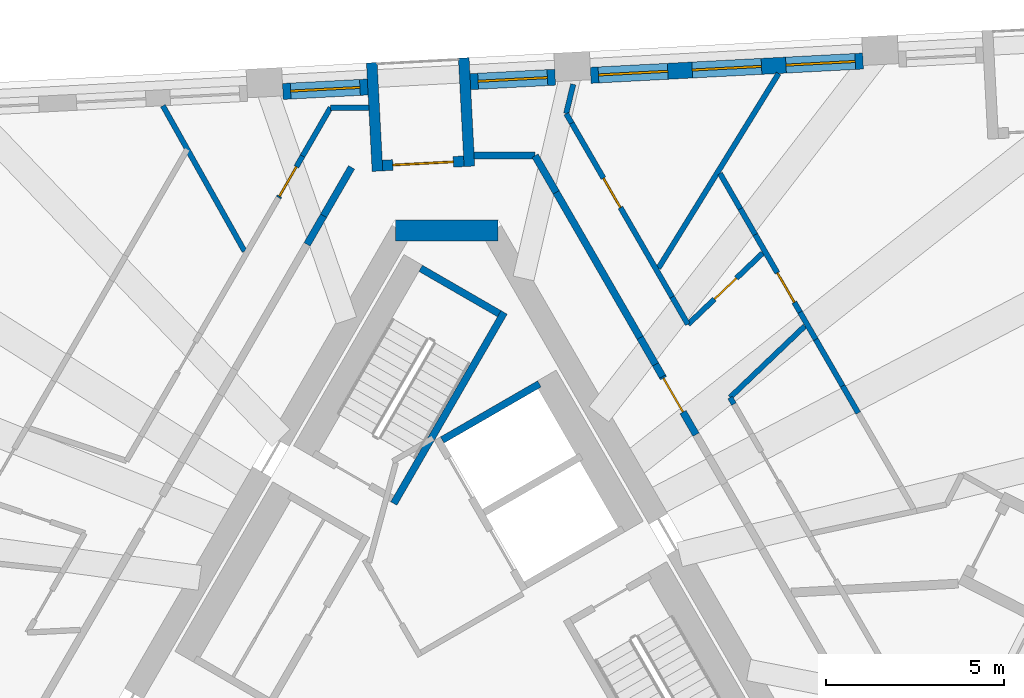
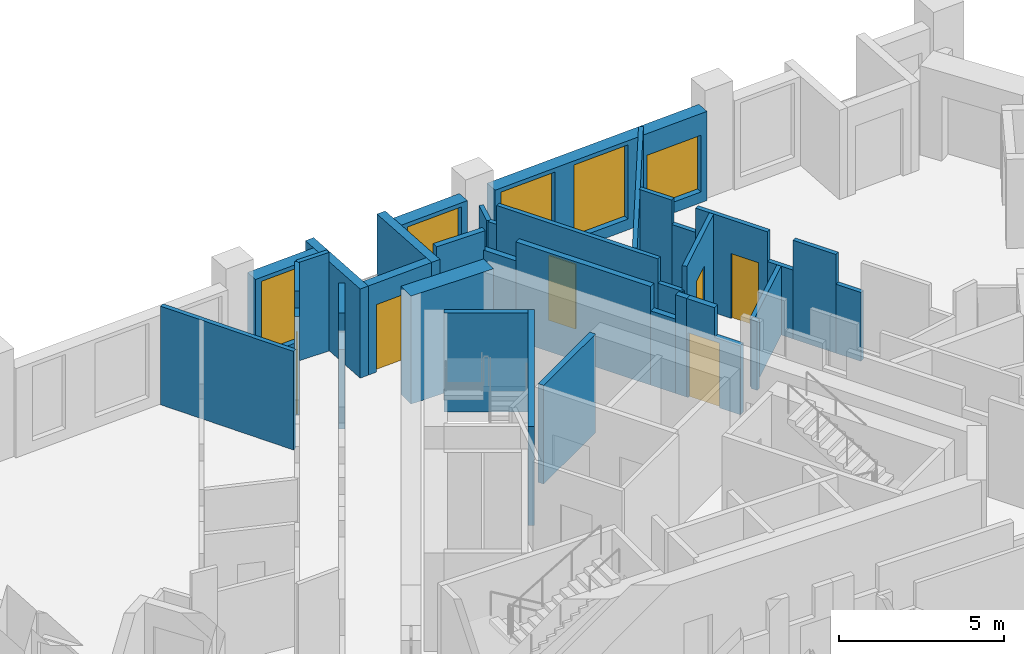
# One storey, part 7 of 12: 36 walls, 6 doors, 5 windows, 11 openings.
"""IFC4 building model written with IfcOpenShell, lengths in metres."""

import ifcopenshell
import ifcopenshell.guid

model = None  # the IFC model being written
_history = None  # IfcOwnerHistory: only IFC2X3 demands one
_inside = {}  # id of a spatial element -> (the spatial element, [elements in it])
_under = {}  # id of a project, library or spatial element -> (it, [spatial elements below it])
_declared = {}  # id of a project -> (the project, [libraries it declares])
_typed = {}  # id of a type object -> (the type object, [elements of that type])
_made_of = {}  # id of a material, layer set ... -> (it, [elements and type objects made of it])


def new_model(schema):
    """Start an empty IFC model of exactly this schema.

    Asked for "IFC4X3", IfcOpenShell would pick the latest addendum, in which some entities
    have other attributes; the version numbers below select the first issue.
    IFC2X3 requires an IfcOwnerHistory on every rooted entity: one is made here for all.
    """
    global model, _history
    if schema == "IFC4X3":
        model = ifcopenshell.file(schema_version=(4, 3, 0, 0))
    else:
        model = ifcopenshell.file(schema=schema)
    _inside.clear()
    _under.clear()
    _declared.clear()
    _typed.clear()
    _made_of.clear()
    _history = None
    if model.schema == "IFC2X3":
        org = make("IfcOrganization", Name="unknown")
        user = make(
            "IfcPersonAndOrganization",
            ThePerson=make("IfcPerson", FamilyName="unknown"),
            TheOrganization=org,
        )
        app = make(
            "IfcApplication",
            ApplicationDeveloper=org,
            Version="unknown",
            ApplicationFullName="unknown",
            ApplicationIdentifier="unknown",
        )
        _history = make(
            "IfcOwnerHistory",
            OwningUser=user,
            OwningApplication=app,
            ChangeAction="ADDED",
            CreationDate=0,
        )
    return model


def make(cls, **values):
    """One entity of the class cls with the attributes given. An attribute that is None is left unset."""
    return model.create_entity(
        cls, **{name: value for name, value in values.items() if value is not None}
    )


def rooted(cls, **values):
    """An entity with a GlobalId (a new one), such as an element, a storey or a relation."""
    return make(cls, GlobalId=ifcopenshell.guid.new(), OwnerHistory=_history, **values)


def si_unit(unit_type, name, prefix=None):
    """IfcSIUnit, for example si_unit("LENGTHUNIT", "METRE", prefix="MILLI")."""
    return make("IfcSIUnit", UnitType=unit_type, Prefix=prefix, Name=name)


def assignment(units):
    """IfcUnitAssignment: the units of a project."""
    return None if units is None else make("IfcUnitAssignment", Units=units)


def point(xyz):
    """IfcCartesianPoint."""
    return None if xyz is None else make("IfcCartesianPoint", Coordinates=xyz)


def direction(xyz):
    """IfcDirection."""
    return None if xyz is None else make("IfcDirection", DirectionRatios=xyz)


def frame(location, z_axis=None, x_axis=None):
    """IfcAxis2Placement3D, a coordinate frame: its origin and axes. An axis left out is left unset."""
    return make(
        "IfcAxis2Placement3D",
        Location=point(location),
        Axis=direction(z_axis),
        RefDirection=direction(x_axis),
    )


def frame_2d(location, x_axis=None):
    """IfcAxis2Placement2D, a coordinate frame in the plane: its origin and x axis."""
    return make(
        "IfcAxis2Placement2D", Location=point(location), RefDirection=direction(x_axis)
    )


def origin():
    """The frame at (0, 0, 0) with its axes left unset."""
    return frame((0.0, 0.0, 0.0))


def place(relative_to, where):
    """IfcLocalPlacement: puts the frame where relative to a parent placement (None: the world)."""
    return make(
        "IfcLocalPlacement", PlacementRelTo=relative_to, RelativePlacement=where
    )


def context(
    kind, dimensions, precision=None, world=None, true_north=None, identifier=None
):
    """IfcGeometricRepresentationContext, for example the 3D "Model" context."""
    return make(
        "IfcGeometricRepresentationContext",
        ContextIdentifier=identifier,
        ContextType=kind,
        CoordinateSpaceDimension=dimensions,
        Precision=precision,
        WorldCoordinateSystem=world,
        TrueNorth=true_north,
    )


def subcontext(parent, identifier, kind, view, scale=None):
    """IfcGeometricRepresentationSubContext, for example "Body" below "Model"."""
    return make(
        "IfcGeometricRepresentationSubContext",
        ContextIdentifier=identifier,
        ContextType=kind,
        ParentContext=parent,
        TargetScale=scale,
        TargetView=view,
    )


def project(units=None, contexts=None):
    """IfcProject with its units and contexts."""
    return rooted(
        "IfcProject",
        Name="project",
        RepresentationContexts=contexts,
        UnitsInContext=assignment(units),
    )


def spatial(cls, under=None, at=None, **own):
    """A site, building, storey or space (cls), placed at a placement, below another one or the project."""
    s = rooted(cls, ObjectPlacement=at, **own)
    if under is not None:
        _under.setdefault(under.id(), (under, []))[1].append(s)
    return s


def polyline(points):
    """IfcPolyline through the points."""
    return make("IfcPolyline", Points=[point(p) for p in points])


def profile(cls, at=None, kind="AREA", **sizes):
    """A parametric profile (cls). Its sizes go by their IFC names, for example OverallWidth=200.0."""
    return make(cls, ProfileType=kind, Position=at, **sizes)


def rectangle(**sizes):
    """IfcRectangleProfileDef."""
    return profile("IfcRectangleProfileDef", **sizes)


def outline(outer, holes=None, kind="AREA"):
    """IfcArbitraryClosedProfileDef: a profile drawn as a closed curve; with holes, ...WithVoids."""
    if holes is None:
        return make("IfcArbitraryClosedProfileDef", ProfileType=kind, OuterCurve=outer)
    return make(
        "IfcArbitraryProfileDefWithVoids",
        ProfileType=kind,
        OuterCurve=outer,
        InnerCurves=holes,
    )


def extrude(swept, where, along, depth):
    """IfcExtrudedAreaSolid: the profile swept, set in the frame where, extruded along a direction by depth."""
    return make(
        "IfcExtrudedAreaSolid",
        SweptArea=swept,
        Position=where,
        ExtrudedDirection=direction(along),
        Depth=depth,
    )


def shape(context_of_items, identifier, shape_type, items):
    """IfcShapeRepresentation: the items that make up one representation, for example the "Body"."""
    return make(
        "IfcShapeRepresentation",
        ContextOfItems=context_of_items,
        RepresentationIdentifier=identifier,
        RepresentationType=shape_type,
        Items=items,
    )


def material(Name=None, Category=None):
    """IfcMaterial."""
    return make("IfcMaterial", Name=Name, Category=Category)


def layer(
    of_material, thickness, ventilated=None, Name=None, Category=None, Priority=None
):
    """IfcMaterialLayer: one layer of a wall or slab, of a material (None: an air gap)."""
    return make(
        "IfcMaterialLayer",
        Material=of_material,
        LayerThickness=thickness,
        IsVentilated=ventilated,
        Name=Name,
        Category=Category,
        Priority=Priority,
    )


def layer_set(layers, Name=None):
    """IfcMaterialLayerSet."""
    return make("IfcMaterialLayerSet", MaterialLayers=layers, LayerSetName=Name)


def made_of(thing, what):
    """Note that an element or type object is made of a material, layer set ...; save() writes the relation."""
    if what is not None:
        _made_of.setdefault(what.id(), (what, []))[1].append(thing)
    return thing


def type_object(cls, material=None, **own):
    """A type object (cls), such as IfcWallType, which elements share."""
    return made_of(rooted(cls, **own), material)


def element(
    cls,
    number,
    at=None,
    inside=None,
    cuts=None,
    type_object=None,
    material=None,
    context=None,
    identifier="Body",
    shape_type=None,
    held_by="IfcProductDefinitionShape",
    body=None,
    shapes=None,
    **own,
):
    """One element of the class cls, such as IfcWall. Its Tag is "e" and its number.

    at: its placement. inside: the storey or other place that contains it. cuts: it is an
    opening in that element (IfcRelVoidsElement). A single representation is given by context,
    identifier, shape_type and body (its items); several are given by shapes. held_by: the class
    of the entity that holds the representations. save() writes the other relations.
    """
    e = rooted(cls, Tag="e%d" % number, ObjectPlacement=at, **own)
    if body is not None:
        shapes = [shape(context, identifier, shape_type, body)]
    if shapes is not None:
        e.Representation = make(held_by, Representations=shapes)
    if inside is not None:
        _inside.setdefault(inside.id(), (inside, []))[1].append(e)
    if cuts is not None:
        rooted(
            "IfcRelVoidsElement", RelatingBuildingElement=cuts, RelatedOpeningElement=e
        )
    if type_object is not None:
        _typed.setdefault(type_object.id(), (type_object, []))[1].append(e)
    return made_of(e, material)


def fill(opening, filler):
    """IfcRelFillsElement: the door or window that sits in an opening."""
    return rooted(
        "IfcRelFillsElement",
        RelatingOpeningElement=opening,
        RelatedBuildingElement=filler,
    )


def aggregate(whole, parts):
    """IfcRelAggregates: a whole, such as a stair, and the parts it consists of."""
    return rooted("IfcRelAggregates", RelatingObject=whole, RelatedObjects=parts)


def save(model, path):
    """Write the relations noted so far, then the file.

    IfcRelAggregates (storeys below a building ...), IfcRelContainedInSpatialStructure (elements
    in a storey), IfcRelDefinesByType, IfcRelAssociatesMaterial and IfcRelDeclares: one each for
    every whole, place, type object, material and project.
    """
    for whole, parts in _under.values():
        aggregate(whole, parts)
    for where, things in _inside.values():
        rooted(
            "IfcRelContainedInSpatialStructure",
            RelatedElements=things,
            RelatingStructure=where,
        )
    for kind, things in _typed.values():
        rooted("IfcRelDefinesByType", RelatedObjects=things, RelatingType=kind)
    for what, things in _made_of.values():
        rooted("IfcRelAssociatesMaterial", RelatedObjects=things, RelatingMaterial=what)
    for by, libraries in _declared.values():
        rooted("IfcRelDeclares", RelatingContext=by, RelatedDefinitions=libraries)
    model.write(path)


model = new_model("IFC4")

# Units and contexts
model_context = context("Model", 3, precision=1e-05, world=origin(), true_north=direction((0.0, 1.0)))
body_context = subcontext(model_context, "Body", "Model", "MODEL_VIEW")
ifc_project = project(units=[si_unit("LENGTHUNIT", "METRE"), si_unit("AREAUNIT", "SQUARE_METRE"), si_unit("VOLUMEUNIT", "CUBIC_METRE"), si_unit("PLANEANGLEUNIT", "RADIAN"), si_unit("MASSUNIT", "GRAM", prefix="KILO")], contexts=[model_context])

# Site, building, storey
site_placement = place(None, origin())
site = spatial("IfcSite", under=ifc_project, at=site_placement, CompositionType="ELEMENT")
building_placement = place(site_placement, origin())
building = spatial("IfcBuilding", under=site, at=building_placement, Name="Tramontana Tower", CompositionType="ELEMENT")
storey_placement = place(building_placement, frame((0.0, 0.0, 302.39990234375)))
storey = spatial("IfcBuildingStorey", under=building, at=storey_placement, Name="L71", CompositionType="ELEMENT", Elevation=302.39990234375)

# Walls
ifc_material_1 = material(Name="Concrete 70 MPa", Category="concrete")
ifc_layer_1 = layer(ifc_material_1, 0.60009765625)
ifc_layer_set_1 = layer_set([ifc_layer_1], Name="Core wall 600 70 MPa")
wall_type_1 = type_object("IfcWallType", Name="Core wall 600 70 MPa", PredefinedType="SHEAR", material=ifc_layer_set_1)
wall_1_placement = place(storey_placement, frame((1.443359375, 10.699951171875, 0.0), z_axis=(0.0, 0.0, 1.0), x_axis=(-1.0, 0.0, 0.0)))
element("IfcWall", 1, at=wall_1_placement, inside=storey, type_object=wall_type_1, Name="Core wall C0 L71", PredefinedType="SHEAR", context=body_context, shape_type="SweptSolid", body=[
    extrude(rectangle(XDim=2.88671875, YDim=0.60009765625, at=frame_2d((1.443359375, 0.0))), origin(), (0.0, 0.0, 1.0), 4.0),
])
ifc_material_2 = material(Name="Blockwork", Category="masonry")
ifc_layer_2 = layer(ifc_material_2, 0.199951171875)
ifc_layer_set_2 = layer_set([ifc_layer_2], Name="ENTRY WALL 200")
wall_type_2 = type_object("IfcWallType", Name="ENTRY WALL 200", PredefinedType="SOLIDWALL", material=ifc_layer_set_2)
wall_2_placement = place(storey_placement, frame((-3.92041015625, 10.309814453125, 0.0), z_axis=(0.0, 0.0, 1.0), x_axis=(0.500102178127, 0.865966403178, 0.0)))
element("IfcWall", 2, at=wall_2_placement, inside=storey, type_object=wall_type_2, Name="Wall v72-ew3-10", PredefinedType="SOLIDWALL", context=body_context, shape_type="SweptSolid", body=[
    extrude(rectangle(XDim=0.927490234375, YDim=0.199951171875, at=frame_2d((0.4638671875, 0.0))), origin(), (0.0, 0.0, 1.0), 2.9501953125),
])
wall_3_placement = place(storey_placement, frame((-3.45654296875, 11.113037109375, 0.0), z_axis=(0.0, 0.0, 1.0), x_axis=(0.500036592568, 0.866004276025, 0.0)))
element("IfcWall", 3, at=wall_3_placement, inside=storey, type_object=wall_type_2, Name="Wall v72-ew3-11", PredefinedType="SOLIDWALL", context=body_context, shape_type="SweptSolid", body=[
    extrude(rectangle(XDim=1.56982421875, YDim=0.199951171875, at=frame_2d((0.784912109375, 0.0))), origin(), (0.0, 0.0, 1.0), 3.650146484375),
])
wall_4_placement = place(storey_placement, frame((0.774658203125, 12.800048828125, 0.0), z_axis=(0.0, 0.0, 1.0), x_axis=(1.0, 0.0, 0.0)))
element("IfcWall", 4, at=wall_4_placement, inside=storey, type_object=wall_type_2, Name="Wall v72-ew4", PredefinedType="SOLIDWALL", context=body_context, shape_type="SweptSolid", body=[
    extrude(rectangle(XDim=1.7080078125, YDim=0.199951171875, at=frame_2d((0.85400390625, 0.0))), origin(), (0.0, 0.0, 1.0), 3.650146484375),
])
wall_5_placement = place(storey_placement, frame((2.482666015625, 12.800048828125, 0.0), z_axis=(0.0, 0.0, 1.0), x_axis=(0.499983247966, -0.86603507536, 0.0)))
element("IfcWall", 5, at=wall_5_placement, inside=storey, type_object=wall_type_2, Name="Wall v72-ew5-0", PredefinedType="SOLIDWALL", context=body_context, shape_type="SweptSolid", body=[
    extrude(rectangle(XDim=1.1884765625, YDim=0.199951171875, at=frame_2d((0.59423828125, 0.0))), origin(), (0.0, 0.0, 1.0), 2.9501953125),
])
wall_6_placement = place(storey_placement, frame((3.076904296875, 11.770751953125, 0.0), z_axis=(0.0, 0.0, 1.0), x_axis=(0.500007683529, -0.866020967652, 0.0)))
element("IfcWall", 6, at=wall_6_placement, inside=storey, type_object=wall_type_2, Name="Wall v72-ew5-1", PredefinedType="SOLIDWALL", context=body_context, shape_type="SweptSolid", body=[
    extrude(rectangle(XDim=4.71728515625, YDim=0.199951171875, at=frame_2d((2.358642578125, 0.0))), origin(), (0.0, 0.0, 1.0), 3.650146484375),
])
wall_7_placement = place(storey_placement, frame((5.435546875, 7.685546875, 0.0), z_axis=(0.0, 0.0, 1.0), x_axis=(0.500056482814, -0.86599279096, 0.0)))
element("IfcWall", 7, at=wall_7_placement, inside=storey, type_object=wall_type_2, Name="Wall v72-ew5-2", PredefinedType="SOLIDWALL", context=body_context, shape_type="SweptSolid", body=[
    extrude(rectangle(XDim=0.86474609375, YDim=0.199951171875, at=frame_2d((0.432373046875, 0.0))), origin(), (0.0, 0.0, 1.0), 2.75),
])
wall_8_placement = place(storey_placement, frame((5.867919921875, 6.936767578125, 0.0), z_axis=(0.0, 0.0, 1.0), x_axis=(0.499526442893, -0.866298639529, 0.0)))
element("IfcWall", 8, at=wall_8_placement, inside=storey, type_object=wall_type_2, Name="Wall v72-ew5-3", PredefinedType="SOLIDWALL", context=body_context, shape_type="SweptSolid", body=[
    extrude(rectangle(XDim=0.3955078125, YDim=0.199951171875, at=frame_2d((0.19775390625, 0.0))), origin(), (0.0, 0.0, 1.0), 3.650146484375),
])

# Wall, opening, door
wall_9_placement = place(storey_placement, frame((6.0654296875, 6.59423828125, 0.0), z_axis=(0.0, 0.0, 1.0), x_axis=(0.499988092049, -0.866032278734, 0.0)))
wall_9 = element("IfcWall", 9, at=wall_9_placement, inside=storey, type_object=wall_type_2, Name="Wall v72-ew5-4", PredefinedType="SOLIDWALL", context=body_context, shape_type="SweptSolid", body=[
    extrude(outline(polyline([(0.0, 0.0), (1.8828125, 0.0), (1.8828125, 2.550048828125), (0.973388671875, 2.550048828125), (0.973388671875, 3.650146484375), (0.0, 3.650146484375), (0.0, 0.0)])), frame((0.0, 0.10009765625, 0.0), z_axis=(0.0, -1.0, 0.0), x_axis=(1.0, 0.0, 0.0)), (0.0, 0.0, 1.0), 0.199951171875),
])
opening_1_placement = place(wall_9_placement, frame((0.050048828125, 0.0, 0.0)))
opening_1 = element("IfcOpeningElement", 10, at=opening_1_placement, cuts=wall_9, Name="Opening B7C-19", PredefinedType="OPENING", context=body_context, shape_type="SweptSolid", body=[
    extrude(rectangle(XDim=1.10009765625, YDim=2.39990234375, at=frame_2d((0.550048828125, 1.199951171875))), frame((0.0, 0.10986328125, 0.0), z_axis=(0.0, -1.0, 0.0), x_axis=(1.0, 0.0, 0.0)), (0.0, 0.0, 1.0), 0.219970703125),
])
ifc_material_3 = material(Name="Painted timber", Category="wood")
door_type_1 = type_object("IfcDoorType", Name="DOOR ENTRY 1100", OperationType="SINGLE_SWING_LEFT", PredefinedType="DOOR", material=ifc_material_3)
door_1_placement = place(opening_1_placement, origin())
door_1 = element("IfcDoor", 11, at=door_1_placement, inside=storey, type_object=door_type_1, Name="Door B7C-19", OperationType="SINGLE_SWING_LEFT", OverallHeight=2.39990234375, OverallWidth=1.10009765625, PredefinedType="DOOR", context=body_context, shape_type="SweptSolid", body=[
    extrude(rectangle(XDim=1.10009765625, YDim=2.39990234375, at=frame_2d((0.550048828125, 1.199951171875))), frame((0.0, 0.02490234375, 0.0), z_axis=(0.0, -1.0, 0.0), x_axis=(1.0, 0.0, 0.0)), (0.0, 0.0, 1.0), 0.050048828125),
])
fill(opening_1, door_1)

# Wall, openings, windows
ifc_material_4 = material(Name="Precast concrete 60 MPa", Category="concrete")
ifc_layer_3 = layer(ifc_material_4, 0.449951171875)
ifc_layer_set_3 = layer_set([ifc_layer_3], Name="Precast concrete 60 MPa, 450 mm")
wall_type_3 = type_object("IfcWallType", Name="EW1 Stone-faced precast wall 450", PredefinedType="SOLIDWALL", material=ifc_layer_set_3)
wall_10_placement = place(storey_placement, frame((11.697265625, 15.45849609375, 0.0), z_axis=(0.0, 0.0, 1.0), x_axis=(-0.998628023429, -0.052364786088, 0.0)))
wall_10 = element("IfcWall", 12, at=wall_10_placement, inside=storey, type_object=wall_type_3, Name="External wall L71 face 2 bay 2", PredefinedType="SOLIDWALL", context=body_context, shape_type="SweptSolid", body=[
    extrude(rectangle(XDim=7.66015625, YDim=0.449951171875, at=frame_2d((3.830078125, 0.0))), origin(), (0.0, 0.0, 1.0), 3.300048828125),
])
opening_2_placement = place(wall_10_placement, frame((0.21826171875, 0.0, 0.39990234375)))
opening_2 = element("IfcOpeningElement", 13, at=opening_2_placement, cuts=wall_10, Name="Opening M3L", PredefinedType="OPENING", context=body_context, shape_type="SweptSolid", body=[
    extrude(rectangle(XDim=1.949951171875, YDim=2.10009765625, at=frame_2d((0.97509765625, 1.050048828125))), frame((0.0, 0.23486328125, 0.0), z_axis=(0.0, -1.0, 0.0), x_axis=(1.0, 0.0, 0.0)), (0.0, 0.0, 1.0), 0.469970703125),
])
opening_3_placement = place(wall_10_placement, frame((2.855224609375, 0.0, 0.39990234375)))
opening_3 = element("IfcOpeningElement", 14, at=opening_3_placement, cuts=wall_10, Name="Opening M3", PredefinedType="OPENING", context=body_context, shape_type="SweptSolid", body=[
    extrude(rectangle(XDim=1.949951171875, YDim=2.75, at=frame_2d((0.97509765625, 1.375))), frame((0.0, 0.23486328125, 0.0), z_axis=(0.0, -1.0, 0.0), x_axis=(1.0, 0.0, 0.0)), (0.0, 0.0, 1.0), 0.469970703125),
])
opening_4_placement = place(wall_10_placement, frame((5.491943359375, 0.0, 0.39990234375)))
opening_4 = element("IfcOpeningElement", 15, at=opening_4_placement, cuts=wall_10, Name="Opening M3", PredefinedType="OPENING", context=body_context, shape_type="SweptSolid", body=[
    extrude(rectangle(XDim=1.949951171875, YDim=2.75, at=frame_2d((0.97509765625, 1.375))), frame((0.0, 0.23486328125, 0.0), z_axis=(0.0, -1.0, 0.0), x_axis=(1.0, 0.0, 0.0)), (0.0, 0.0, 1.0), 0.469970703125),
])
ifc_material_5 = material(Name="Aluminum frame, double glazing unit", Category="aluminium")
window_type_1 = type_object("IfcWindowType", Name="M3 Window 1.95 x 2.75", PartitioningType="SINGLE_PANEL", PredefinedType="WINDOW", material=ifc_material_5)
window_1_placement = place(opening_3_placement, origin())
window_1 = element("IfcWindow", 16, at=window_1_placement, inside=storey, type_object=window_type_1, Name="Window M3 L71 face 2 module 5", OverallHeight=2.75, OverallWidth=1.949951171875, PartitioningType="SINGLE_PANEL", PredefinedType="WINDOW", context=body_context, shape_type="SweptSolid", body=[
    extrude(rectangle(XDim=1.949951171875, YDim=2.75, at=frame_2d((0.97509765625, 1.375))), frame((0.0, 0.030029296875, 0.0), z_axis=(0.0, -1.0, 0.0), x_axis=(1.0, 0.0, 0.0)), (0.0, 0.0, 1.0), 0.06005859375),
])
fill(opening_3, window_1)
window_2_placement = place(opening_4_placement, origin())
window_2 = element("IfcWindow", 17, at=window_2_placement, inside=storey, type_object=window_type_1, Name="Window M3 L71 face 2 module 6", OverallHeight=2.75, OverallWidth=1.949951171875, PartitioningType="SINGLE_PANEL", PredefinedType="WINDOW", context=body_context, shape_type="SweptSolid", body=[
    extrude(rectangle(XDim=1.949951171875, YDim=2.75, at=frame_2d((0.97509765625, 1.375))), frame((0.0, 0.030029296875, 0.0), z_axis=(0.0, -1.0, 0.0), x_axis=(1.0, 0.0, 0.0)), (0.0, 0.0, 1.0), 0.06005859375),
])
fill(opening_4, window_2)
ifc_material_6 = material(Name="Aluminum frame, double glazing unit", Category="aluminium")
window_type_2 = type_object("IfcWindowType", Name="M3L Window 1.95 x 2.1", PartitioningType="SINGLE_PANEL", PredefinedType="WINDOW", material=ifc_material_6)
window_3_placement = place(opening_2_placement, origin())
window_3 = element("IfcWindow", 18, at=window_3_placement, inside=storey, type_object=window_type_2, Name="Window M3L L71 face 2 module 4", OverallHeight=2.10009765625, OverallWidth=1.949951171875, PartitioningType="SINGLE_PANEL", PredefinedType="WINDOW", context=body_context, shape_type="SweptSolid", body=[
    extrude(rectangle(XDim=1.949951171875, YDim=2.10009765625, at=frame_2d((0.97509765625, 1.050048828125))), frame((0.0, 0.030029296875, 0.0), z_axis=(0.0, -1.0, 0.0), x_axis=(1.0, 0.0, 0.0)), (0.0, 0.0, 1.0), 0.06005859375),
])
fill(opening_2, window_3)

# Wall, opening, window
wall_11_placement = place(storey_placement, frame((3.049072265625, 15.005126953125, 0.0), z_axis=(0.0, 0.0, 1.0), x_axis=(-0.998627701279, -0.052370929331, 0.0)))
wall_11 = element("IfcWall", 19, at=wall_11_placement, inside=storey, type_object=wall_type_3, Name="External wall L71 face 2 bay 3", PredefinedType="SOLIDWALL", context=body_context, shape_type="SweptSolid", body=[
    extrude(rectangle(XDim=2.38671875, YDim=0.449951171875, at=frame_2d((1.193359375, 0.0))), origin(), (0.0, 0.0, 1.0), 3.300048828125),
])
opening_5_placement = place(wall_11_placement, frame((0.21826171875, 0.0, 0.39990234375)))
opening_5 = element("IfcOpeningElement", 20, at=opening_5_placement, cuts=wall_11, Name="Opening M3", PredefinedType="OPENING", context=body_context, shape_type="SweptSolid", body=[
    extrude(rectangle(XDim=1.949951171875, YDim=2.75, at=frame_2d((0.97509765625, 1.375))), frame((0.0, 0.23486328125, 0.0), z_axis=(0.0, -1.0, 0.0), x_axis=(1.0, 0.0, 0.0)), (0.0, 0.0, 1.0), 0.469970703125),
])
window_4_placement = place(opening_5_placement, origin())
window_4 = element("IfcWindow", 21, at=window_4_placement, inside=storey, type_object=window_type_1, Name="Window M3 L71 face 2 module 7", OverallHeight=2.75, OverallWidth=1.949951171875, PartitioningType="SINGLE_PANEL", PredefinedType="WINDOW", context=body_context, shape_type="SweptSolid", body=[
    extrude(rectangle(XDim=1.949951171875, YDim=2.75, at=frame_2d((0.97509765625, 1.375))), frame((0.0, 0.030029296875, 0.0), z_axis=(0.0, -1.0, 0.0), x_axis=(1.0, 0.0, 0.0)), (0.0, 0.0, 1.0), 0.06005859375),
])
fill(opening_5, window_4)

wall_12_placement = place(storey_placement, frame((-2.21728515625, 14.729248046875, 0.0), z_axis=(0.0, 0.0, 1.0), x_axis=(-0.998627701279, -0.052370929331, 0.0)))
wall_12 = element("IfcWall", 22, at=wall_12_placement, inside=storey, type_object=wall_type_3, Name="External wall L71 face 2 bay 3", PredefinedType="SOLIDWALL", context=body_context, shape_type="SweptSolid", body=[
    extrude(rectangle(XDim=2.38671875, YDim=0.449951171875, at=frame_2d((1.193359375, 0.0))), origin(), (0.0, 0.0, 1.0), 3.300048828125),
])
opening_6_placement = place(wall_12_placement, frame((0.21826171875, 0.0, 0.39990234375)))
opening_6 = element("IfcOpeningElement", 23, at=opening_6_placement, cuts=wall_12, Name="Opening M3", PredefinedType="OPENING", context=body_context, shape_type="SweptSolid", body=[
    extrude(rectangle(XDim=1.949951171875, YDim=2.75, at=frame_2d((0.97509765625, 1.375))), frame((0.0, 0.23486328125, 0.0), z_axis=(0.0, -1.0, 0.0), x_axis=(1.0, 0.0, 0.0)), (0.0, 0.0, 1.0), 0.469970703125),
])
window_5_placement = place(opening_6_placement, origin())
window_5 = element("IfcWindow", 24, at=window_5_placement, inside=storey, type_object=window_type_1, Name="Window M3 L71 face 2 module 9", OverallHeight=2.75, OverallWidth=1.949951171875, PartitioningType="SINGLE_PANEL", PredefinedType="WINDOW", context=body_context, shape_type="SweptSolid", body=[
    extrude(rectangle(XDim=1.949951171875, YDim=2.75, at=frame_2d((0.97509765625, 1.375))), frame((0.0, 0.030029296875, 0.0), z_axis=(0.0, -1.0, 0.0), x_axis=(1.0, 0.0, 0.0)), (0.0, 0.0, 1.0), 0.06005859375),
])
fill(opening_6, window_5)

# Wall, opening, door
ifc_material_7 = material(Name="Precast concrete 60 MPa", Category="concrete")
ifc_layer_4 = layer(ifc_material_7, 0.300048828125)
ifc_layer_set_4 = layer_set([ifc_layer_4], Name="LW1 Stone-faced loggia wall 300")
wall_type_4 = type_object("IfcWallType", Name="LW1 Stone-faced loggia wall 300", PredefinedType="SOLIDWALL", material=ifc_layer_set_4)
wall_13_placement = place(storey_placement, frame((0.482421875, 12.642578125, 0.0), z_axis=(0.0, 0.0, 1.0), x_axis=(-0.998630775221, -0.052312281362, 0.0)))
wall_13 = element("IfcWall", 25, at=wall_13_placement, inside=storey, type_object=wall_type_4, Name="Loggia wall L71 G7S2.7", PredefinedType="SOLIDWALL", context=body_context, shape_type="SweptSolid", body=[
    extrude(rectangle(XDim=2.286865234375, YDim=0.300048828125, at=frame_2d((1.1435546875, 0.0))), origin(), (0.0, 0.0, 1.0), 3.300048828125),
])
opening_7_placement = place(wall_13_placement, frame((0.29345703125, 0.0, 0.0)))
opening_7 = element("IfcOpeningElement", 26, at=opening_7_placement, cuts=wall_13, Name="Opening BD-7S2-07", PredefinedType="OPENING", context=body_context, shape_type="SweptSolid", body=[
    extrude(rectangle(XDim=1.699951171875, YDim=2.5, at=frame_2d((0.85009765625, 1.25))), frame((0.0, 0.159912109375, 0.0), z_axis=(0.0, -1.0, 0.0), x_axis=(1.0, 0.0, 0.0)), (0.0, 0.0, 1.0), 0.320068359375),
])
ifc_material_8 = material(Name="Aluminum frame, double glazing unit", Category="aluminium")
door_type_2 = type_object("IfcDoorType", Name="BD3 Sliding door 1.7 x 2.5", OperationType="SLIDING_TO_LEFT", PredefinedType="DOOR", material=ifc_material_8)
door_2_placement = place(opening_7_placement, origin())
door_2 = element("IfcDoor", 27, at=door_2_placement, inside=storey, type_object=door_type_2, Name="Loggia door L71 G7S2.7", OperationType="SLIDING_TO_LEFT", OverallHeight=2.5, OverallWidth=1.699951171875, PredefinedType="DOOR", context=body_context, shape_type="SweptSolid", body=[
    extrude(rectangle(XDim=1.699951171875, YDim=2.5, at=frame_2d((0.85009765625, 1.25))), frame((0.0, 0.02490234375, 0.0), z_axis=(0.0, -1.0, 0.0), x_axis=(1.0, 0.0, 0.0)), (0.0, 0.0, 1.0), 0.050048828125),
])
fill(opening_7, door_2)

# Walls
wall_14_placement = place(storey_placement, frame((0.48046875, 15.54638671875, 0.0), z_axis=(0.0, 0.0, 1.0), x_axis=(0.052352956549, -0.998628643661, 0.0)))
element("IfcWall", 28, at=wall_14_placement, inside=storey, type_object=wall_type_4, Name="Loggia return L71 G7S2.7a", PredefinedType="SOLIDWALL", context=body_context, shape_type="SweptSolid", body=[
    extrude(rectangle(XDim=3.0498046875, YDim=0.300048828125, at=frame_2d((1.52490234375, 0.0))), origin(), (0.0, 0.0, 1.0), 3.300048828125),
])
wall_15_placement = place(storey_placement, frame((-2.102783203125, 15.4111328125, 0.0), z_axis=(0.0, 0.0, 1.0), x_axis=(0.052348771756, -0.99862886304, 0.0)))
element("IfcWall", 29, at=wall_15_placement, inside=storey, type_object=wall_type_4, Name="Loggia return L71 G7S2.7b", PredefinedType="SOLIDWALL", context=body_context, shape_type="SweptSolid", body=[
    extrude(rectangle(XDim=3.050048828125, YDim=0.300048828125, at=frame_2d((1.52490234375, 0.0))), origin(), (0.0, 0.0, 1.0), 3.300048828125),
])

# Wall, opening, door
ifc_material_9 = material(Name="Gypsum board partition")
ifc_layer_5 = layer(ifc_material_9, 0.14990234375)
ifc_layer_set_5 = layer_set([ifc_layer_5], Name="PARTITION 150")
wall_type_5 = type_object("IfcWallType", Name="PARTITION 150", PredefinedType="PARTITIONING", material=ifc_layer_set_5)
wall_16_placement = place(storey_placement, frame((-4.7216796875, 11.62158203125, 0.0), z_axis=(0.0, 0.0, 1.0), x_axis=(0.499973075538, 0.866040948072, 0.0)))
wall_16 = element("IfcWall", 30, at=wall_16_placement, inside=storey, type_object=wall_type_5, Name="Wall v72-pw10-5", PredefinedType="PARTITIONING", context=body_context, shape_type="SweptSolid", body=[
    extrude(outline(polyline([(0.0, 0.0), (1.34912109375, 0.0), (1.34912109375, 2.9501953125), (0.45458984375, 2.9501953125), (0.45458984375, 3.650146484375), (0.0, 3.650146484375), (0.0, 0.0)])), frame((0.0, 0.074951171875, 0.0), z_axis=(0.0, -1.0, 0.0), x_axis=(1.0, 0.0, 0.0)), (0.0, 0.0, 1.0), 0.14990234375),
])
opening_8_placement = place(wall_16_placement, frame((0.050048828125, 0.0, 0.0)))
opening_8 = element("IfcOpeningElement", 31, at=opening_8_placement, cuts=wall_16, Name="Opening B7C-04", PredefinedType="OPENING", context=body_context, shape_type="SweptSolid", body=[
    extrude(rectangle(XDim=0.949951171875, YDim=2.39990234375, at=frame_2d((0.47509765625, 1.199951171875))), frame((0.0, 0.0849609375, 0.0), z_axis=(0.0, -1.0, 0.0), x_axis=(1.0, 0.0, 0.0)), (0.0, 0.0, 1.0), 0.169921875),
])
ifc_material_10 = material(Name="Painted timber", Category="wood")
door_type_3 = type_object("IfcDoorType", Name="DOOR ROOM 950", OperationType="SINGLE_SWING_LEFT", PredefinedType="DOOR", material=ifc_material_10)
door_3_placement = place(opening_8_placement, origin())
door_3 = element("IfcDoor", 32, at=door_3_placement, inside=storey, type_object=door_type_3, Name="Door B7C-04", OperationType="SINGLE_SWING_RIGHT", OverallHeight=2.39990234375, OverallWidth=0.949951171875, PredefinedType="DOOR", context=body_context, shape_type="SweptSolid", body=[
    extrude(rectangle(XDim=0.949951171875, YDim=2.39990234375, at=frame_2d((0.47509765625, 1.199951171875))), frame((0.0, 0.02490234375, 0.0), z_axis=(0.0, -1.0, 0.0), x_axis=(1.0, 0.0, 0.0)), (0.0, 0.0, 1.0), 0.050048828125),
])
fill(opening_8, door_3)

# Walls
wall_17_placement = place(storey_placement, frame((-4.047119140625, 12.7900390625, 0.0), z_axis=(0.0, 0.0, 1.0), x_axis=(0.500018540756, 0.866014699009, 0.0)))
element("IfcWall", 33, at=wall_17_placement, inside=storey, type_object=wall_type_5, Name="Wall v72-pw10-6", PredefinedType="PARTITIONING", context=body_context, shape_type="SweptSolid", body=[
    extrude(rectangle(XDim=1.5703125, YDim=0.14990234375, at=frame_2d((0.78515625, 0.0))), origin(), (0.0, 0.0, 1.0), 3.650146484375),
])
wall_18_placement = place(storey_placement, frame((-7.970947265625, 14.2021484375, 0.0), z_axis=(0.0, 0.0, 1.0), x_axis=(0.489407559615, -0.87205518208, 0.0)))
element("IfcWall", 34, at=wall_18_placement, inside=storey, type_object=wall_type_5, Name="Wall v72-pw12", PredefinedType="PARTITIONING", context=body_context, shape_type="SweptSolid", body=[
    extrude(rectangle(XDim=4.685791015625, YDim=0.14990234375, at=frame_2d((2.3427734375, 0.0))), origin(), (0.0, 0.0, 1.0), 3.650146484375),
])
wall_19_placement = place(storey_placement, frame((-3.261962890625, 14.14990234375, 0.0), z_axis=(0.0, 0.0, 1.0), x_axis=(1.0, 0.0, 0.0)))
element("IfcWall", 35, at=wall_19_placement, inside=storey, type_object=wall_type_5, Name="Wall v72-pw13", PredefinedType="PARTITIONING", context=body_context, shape_type="SweptSolid", body=[
    extrude(rectangle(XDim=1.074951171875, YDim=0.14990234375, at=frame_2d((0.53759765625, 0.0))), origin(), (0.0, 0.0, 1.0), 3.650146484375),
])
wall_20_placement = place(storey_placement, frame((3.361083984375, 13.978515625, 0.0), z_axis=(0.0, 0.0, 1.0), x_axis=(0.499768824934, -0.866158831638, 0.0)))
element("IfcWall", 36, at=wall_20_placement, inside=storey, type_object=wall_type_5, Name="Wall v72-pw17-0", PredefinedType="PARTITIONING", context=body_context, shape_type="SweptSolid", body=[
    extrude(rectangle(XDim=0.303955078125, YDim=0.14990234375, at=frame_2d((0.15185546875, 0.0))), origin(), (0.0, 0.0, 1.0), 2.9501953125),
])

# Wall, opening, door
wall_21_placement = place(storey_placement, frame((3.512939453125, 13.71533203125, 0.0), z_axis=(0.0, 0.0, 1.0), x_axis=(0.500019542665, -0.866014120528, 0.0)))
wall_21 = element("IfcWall", 37, at=wall_21_placement, inside=storey, type_object=wall_type_5, Name="Wall v72-pw17-1", PredefinedType="PARTITIONING", context=body_context, shape_type="SweptSolid", body=[
    extrude(rectangle(XDim=5.643310546875, YDim=0.14990234375, at=frame_2d((2.82177734375, 0.0))), origin(), (0.0, 0.0, 1.0), 3.650146484375),
])
opening_9_placement = place(wall_21_placement, frame((1.7880859375, 0.0, 0.0)))
opening_9 = element("IfcOpeningElement", 38, at=opening_9_placement, cuts=wall_21, Name="Opening B7C-16", PredefinedType="OPENING", context=body_context, shape_type="SweptSolid", body=[
    extrude(rectangle(XDim=0.949951171875, YDim=2.39990234375, at=frame_2d((0.47509765625, 1.199951171875))), frame((0.0, 0.0849609375, 0.0), z_axis=(0.0, -1.0, 0.0), x_axis=(1.0, 0.0, 0.0)), (0.0, 0.0, 1.0), 0.169921875),
])
door_4_placement = place(opening_9_placement, origin())
door_4 = element("IfcDoor", 39, at=door_4_placement, inside=storey, type_object=door_type_3, Name="Door B7C-16", OperationType="SINGLE_SWING_RIGHT", OverallHeight=2.39990234375, OverallWidth=0.949951171875, PredefinedType="DOOR", context=body_context, shape_type="SweptSolid", body=[
    extrude(rectangle(XDim=0.949951171875, YDim=2.39990234375, at=frame_2d((0.47509765625, 1.199951171875))), frame((0.0, 0.02490234375, 0.0), z_axis=(0.0, -1.0, 0.0), x_axis=(1.0, 0.0, 0.0)), (0.0, 0.0, 1.0), 0.050048828125),
])
fill(opening_9, door_4)

# Walls
wall_22_placement = place(storey_placement, frame((6.334716796875, 8.828125, 0.0), z_axis=(0.0, 0.0, 1.0), x_axis=(0.500033502416, -0.866006060292, 0.0)))
element("IfcWall", 40, at=wall_22_placement, inside=storey, type_object=wall_type_5, Name="Wall v72-pw17-2", PredefinedType="PARTITIONING", context=body_context, shape_type="SweptSolid", body=[
    extrude(rectangle(XDim=0.88330078125, YDim=0.14990234375, at=frame_2d((0.441650390625, 0.0))), origin(), (0.0, 0.0, 1.0), 2.75),
])
wall_23_placement = place(storey_placement, frame((3.556884765625, 14.806396484375, 0.0), z_axis=(0.0, 0.0, 1.0), x_axis=(-0.233841855751, -0.972274645612, 0.0)))
element("IfcWall", 41, at=wall_23_placement, inside=storey, type_object=wall_type_5, Name="Wall v72-pw18-0", PredefinedType="PARTITIONING", context=body_context, shape_type="SweptSolid", body=[
    extrude(rectangle(XDim=0.8466796875, YDim=0.14990234375, at=frame_2d((0.42333984375, 0.0))), origin(), (0.0, 0.0, 1.0), 2.9501953125),
])
wall_24_placement = place(storey_placement, frame((5.951416015625, 9.641845703125, 0.0), z_axis=(0.0, 0.0, 1.0), x_axis=(0.525235570914, 0.850956870263, 0.0)))
element("IfcWall", 42, at=wall_24_placement, inside=storey, type_object=wall_type_5, Name="Wall v72-pw23", PredefinedType="PARTITIONING", context=body_context, shape_type="SweptSolid", body=[
    extrude(rectangle(XDim=6.42431640625, YDim=0.14990234375, at=frame_2d((3.212158203125, 0.0))), origin(), (0.0, 0.0, 1.0), 3.650146484375),
])

# Wall, opening, door
wall_25_placement = place(storey_placement, frame((6.782470703125, 8.062255859375, 0.0), z_axis=(0.0, 0.0, 1.0), x_axis=(0.723403289855, 0.690425723903, 0.0)))
wall_25 = element("IfcWall", 43, at=wall_25_placement, inside=storey, type_object=wall_type_5, Name="Wall v72-pw25", PredefinedType="PARTITIONING", context=body_context, shape_type="SweptSolid", body=[
    extrude(rectangle(XDim=2.902099609375, YDim=0.14990234375, at=frame_2d((1.451171875, 0.0))), origin(), (0.0, 0.0, 1.0), 3.650146484375),
])
opening_10_placement = place(wall_25_placement, frame((1.026123046875, 0.0, 0.0)))
opening_10 = element("IfcOpeningElement", 44, at=opening_10_placement, cuts=wall_25, Name="Opening B7C-13", PredefinedType="OPENING", context=body_context, shape_type="SweptSolid", body=[
    extrude(rectangle(XDim=0.85009765625, YDim=2.39990234375, at=frame_2d((0.425048828125, 1.199951171875))), frame((0.0, 0.0849609375, 0.0), z_axis=(0.0, -1.0, 0.0), x_axis=(1.0, 0.0, 0.0)), (0.0, 0.0, 1.0), 0.169921875),
])
ifc_material_11 = material(Name="Painted timber", Category="wood")
door_type_4 = type_object("IfcDoorType", Name="DOOR BATH 850", OperationType="SINGLE_SWING_LEFT", PredefinedType="DOOR", material=ifc_material_11)
door_5_placement = place(opening_10_placement, origin())
door_5 = element("IfcDoor", 45, at=door_5_placement, inside=storey, type_object=door_type_4, Name="Door B7C-13", OperationType="SINGLE_SWING_LEFT", OverallHeight=2.39990234375, OverallWidth=0.85009765625, PredefinedType="DOOR", context=body_context, shape_type="SweptSolid", body=[
    extrude(rectangle(XDim=0.85009765625, YDim=2.39990234375, at=frame_2d((0.425048828125, 1.199951171875))), frame((0.0, 0.02490234375, 0.0), z_axis=(0.0, -1.0, 0.0), x_axis=(1.0, 0.0, 0.0)), (0.0, 0.0, 1.0), 0.050048828125),
])
fill(opening_10, door_5)

# Walls
wall_26_placement = place(storey_placement, frame((7.679443359375, 12.298828125, 0.0), z_axis=(0.0, 0.0, 1.0), x_axis=(0.499925626596, -0.866068339032, 0.0)))
element("IfcWall", 46, at=wall_26_placement, inside=storey, type_object=wall_type_5, Name="Wall v72-pw26-0", PredefinedType="PARTITIONING", context=body_context, shape_type="SweptSolid", body=[
    extrude(rectangle(XDim=1.144287109375, YDim=0.14990234375, at=frame_2d((0.572265625, 0.0))), origin(), (0.0, 0.0, 1.0), 3.650146484375),
])
wall_27_placement = place(storey_placement, frame((8.25146484375, 11.307861328125, 0.0), z_axis=(0.0, 0.0, 1.0), x_axis=(0.500151338474, -0.865938010843, 0.0)))
element("IfcWall", 47, at=wall_27_placement, inside=storey, type_object=wall_type_5, Name="Wall v72-pw26-1", PredefinedType="PARTITIONING", context=body_context, shape_type="SweptSolid", body=[
    extrude(rectangle(XDim=0.837646484375, YDim=0.14990234375, at=frame_2d((0.4189453125, 0.0))), origin(), (0.0, 0.0, 1.0), 2.75),
])

# Wall, opening, door
wall_28_placement = place(storey_placement, frame((8.67041015625, 10.58251953125, 0.0), z_axis=(0.0, 0.0, 1.0), x_axis=(0.499938053331, -0.866061165757, 0.0)))
wall_28 = element("IfcWall", 48, at=wall_28_placement, inside=storey, type_object=wall_type_5, Name="Wall v72-pw26-2", PredefinedType="PARTITIONING", context=body_context, shape_type="SweptSolid", body=[
    extrude(rectangle(XDim=2.515869140625, YDim=0.14990234375, at=frame_2d((1.2578125, 0.0))), origin(), (0.0, 0.0, 1.0), 3.650146484375),
])
opening_11_placement = place(wall_28_placement, frame((1.243896484375, 0.0, 0.0)))
opening_11 = element("IfcOpeningElement", 49, at=opening_11_placement, cuts=wall_28, Name="Opening B7C-14", PredefinedType="OPENING", context=body_context, shape_type="SweptSolid", body=[
    extrude(rectangle(XDim=0.949951171875, YDim=2.39990234375, at=frame_2d((0.47509765625, 1.199951171875))), frame((0.0, 0.0849609375, 0.0), z_axis=(0.0, -1.0, 0.0), x_axis=(1.0, 0.0, 0.0)), (0.0, 0.0, 1.0), 0.169921875),
])
door_6_placement = place(opening_11_placement, origin())
door_6 = element("IfcDoor", 50, at=door_6_placement, inside=storey, type_object=door_type_3, Name="Door B7C-14", OperationType="SINGLE_SWING_RIGHT", OverallHeight=2.39990234375, OverallWidth=0.949951171875, PredefinedType="DOOR", context=body_context, shape_type="SweptSolid", body=[
    extrude(rectangle(XDim=0.949951171875, YDim=2.39990234375, at=frame_2d((0.47509765625, 1.199951171875))), frame((0.0, 0.02490234375, 0.0), z_axis=(0.0, -1.0, 0.0), x_axis=(1.0, 0.0, 0.0)), (0.0, 0.0, 1.0), 0.050048828125),
])
fill(opening_11, door_6)

# Walls
wall_29_placement = place(storey_placement, frame((9.92822265625, 8.403564453125, 0.0), z_axis=(0.0, 0.0, 1.0), x_axis=(0.500176418896, -0.865923524325, 0.0)))
element("IfcWall", 51, at=wall_29_placement, inside=storey, type_object=wall_type_5, Name="Wall v72-pw26-3", PredefinedType="PARTITIONING", context=body_context, shape_type="SweptSolid", body=[
    extrude(rectangle(XDim=0.884521484375, YDim=0.14990234375, at=frame_2d((0.4423828125, 0.0))), origin(), (0.0, 0.0, 1.0), 2.550048828125),
])
wall_30_placement = place(storey_placement, frame((10.37060546875, 7.6376953125, 0.0), z_axis=(0.0, 0.0, 1.0), x_axis=(0.499983823482, -0.8660347431, 0.0)))
element("IfcWall", 52, at=wall_30_placement, inside=storey, type_object=wall_type_5, Name="Wall v72-pw26-4", PredefinedType="PARTITIONING", context=body_context, shape_type="SweptSolid", body=[
    extrude(rectangle(XDim=1.50927734375, YDim=0.14990234375, at=frame_2d((0.754638671875, 0.0))), origin(), (0.0, 0.0, 1.0), 3.650146484375),
])
wall_31_placement = place(storey_placement, frame((11.125244140625, 6.33056640625, 0.0), z_axis=(0.0, 0.0, 1.0), x_axis=(0.500036104519, -0.866004557827, 0.0)))
element("IfcWall", 53, at=wall_31_placement, inside=storey, type_object=wall_type_5, Name="Wall v72-pw26-5", PredefinedType="PARTITIONING", context=body_context, shape_type="SweptSolid", body=[
    extrude(rectangle(XDim=0.8759765625, YDim=0.14990234375, at=frame_2d((0.43798828125, 0.0))), origin(), (0.0, 0.0, 1.0), 2.550048828125),
])
wall_32_placement = place(storey_placement, frame((7.9638671875, 6.006103515625, 0.0), z_axis=(0.0, 0.0, 1.0), x_axis=(0.500182682664, -0.865919906206, 0.0)))
element("IfcWall", 54, at=wall_32_placement, inside=storey, type_object=wall_type_5, Name="Wall v72-pw27-0", PredefinedType="PARTITIONING", context=body_context, shape_type="SweptSolid", body=[
    extrude(rectangle(XDim=0.21435546875, YDim=0.14990234375, at=frame_2d((0.107177734375, 0.0))), origin(), (0.0, 0.0, 1.0), 2.550048828125),
])
wall_33_placement = place(storey_placement, frame((10.0654296875, 8.01611328125, 0.0), z_axis=(0.0, 0.0, 1.0), x_axis=(-0.723391805323, -0.690437756783, 0.0)))
element("IfcWall", 55, at=wall_33_placement, inside=storey, type_object=wall_type_5, Name="Wall v72-pw29-0", PredefinedType="PARTITIONING", context=body_context, shape_type="SweptSolid", body=[
    extrude(rectangle(XDim=2.904052734375, YDim=0.14990234375, at=frame_2d((1.4521484375, 0.0))), origin(), (0.0, 0.0, 1.0), 2.550048828125),
])
ifc_material_12 = material(Name="Concrete 70 MPa", Category="concrete")
ifc_layer_6 = layer(ifc_material_12, 0.199951171875)
ifc_layer_set_6 = layer_set([ifc_layer_6], Name="Concrete 70 MPa, 200 mm")
wall_type_6 = type_object("IfcWallType", Name="RC STAIR AND SHAFT WALL 200", PredefinedType="SOLIDWALL", material=ifc_layer_set_6)
wall_34_placement = place(storey_placement, frame((1.615234375, 8.3974609375, 0.0), z_axis=(0.0, 0.0, 1.0), x_axis=(-0.500009909098, -0.866019682689, 0.0)))
element("IfcWall", 56, at=wall_34_placement, inside=storey, type_object=wall_type_6, Name="Wall st1-front", PredefinedType="SOLIDWALL", context=body_context, shape_type="SweptSolid", body=[
    extrude(rectangle(XDim=6.199951171875, YDim=0.199951171875, at=frame_2d((3.10009765625, 0.0))), origin(), (0.0, 0.0, 1.0), 3.650146484375),
])
wall_35_placement = place(storey_placement, frame((1.478515625, 8.36083984375, 0.0), z_axis=(0.0, 0.0, 1.0), x_axis=(-0.865989465428, 0.500062241894, 0.0)))
element("IfcWall", 57, at=wall_35_placement, inside=storey, type_object=wall_type_6, Name="Wall st1-far", PredefinedType="SOLIDWALL", context=body_context, shape_type="SweptSolid", body=[
    extrude(rectangle(XDim=2.550048828125, YDim=0.199951171875, at=frame_2d((1.27490234375, 0.0))), origin(), (0.0, 0.0, 1.0), 3.650146484375),
])
wall_36_placement = place(storey_placement, frame((-0.123046875, 4.813232421875, 0.0), z_axis=(0.0, 0.0, 1.0), x_axis=(0.866016494683, 0.500015430699, 0.0)))
element("IfcWall", 58, at=wall_36_placement, inside=storey, type_object=wall_type_6, Name="Wall row2-side2", PredefinedType="SOLIDWALL", context=body_context, shape_type="SweptSolid", body=[
    extrude(rectangle(XDim=3.14990234375, YDim=0.199951171875, at=frame_2d((1.574951171875, 0.0))), origin(), (0.0, 0.0, 1.0), 3.650146484375),
])

save(model, "model.ifc")
